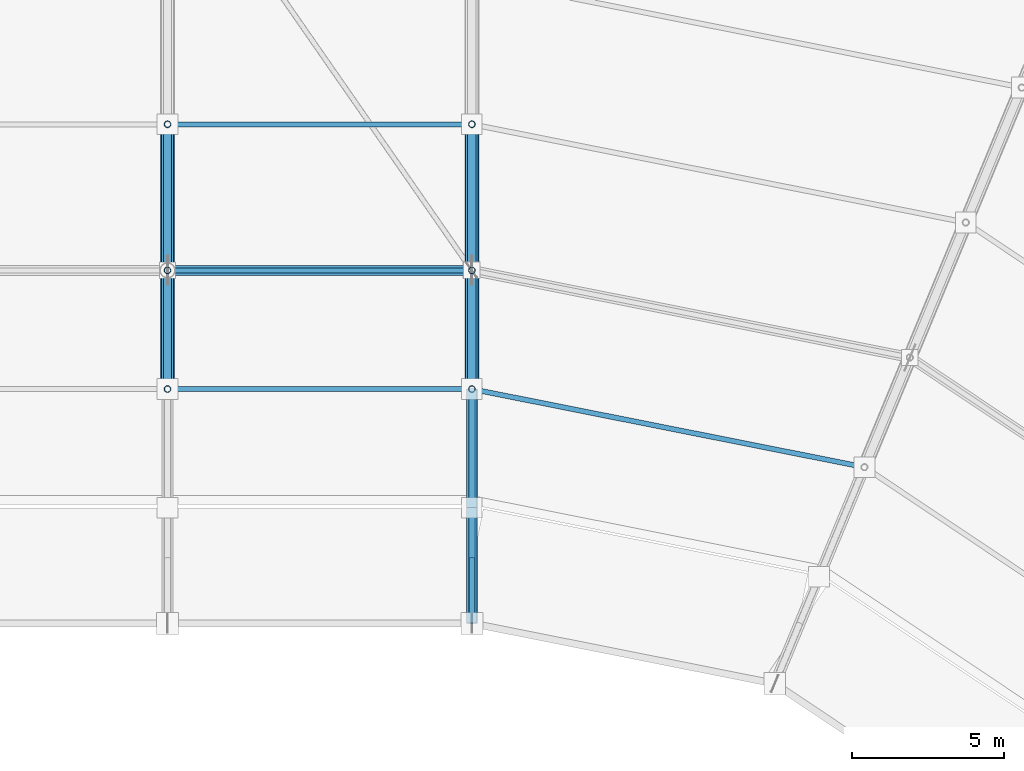
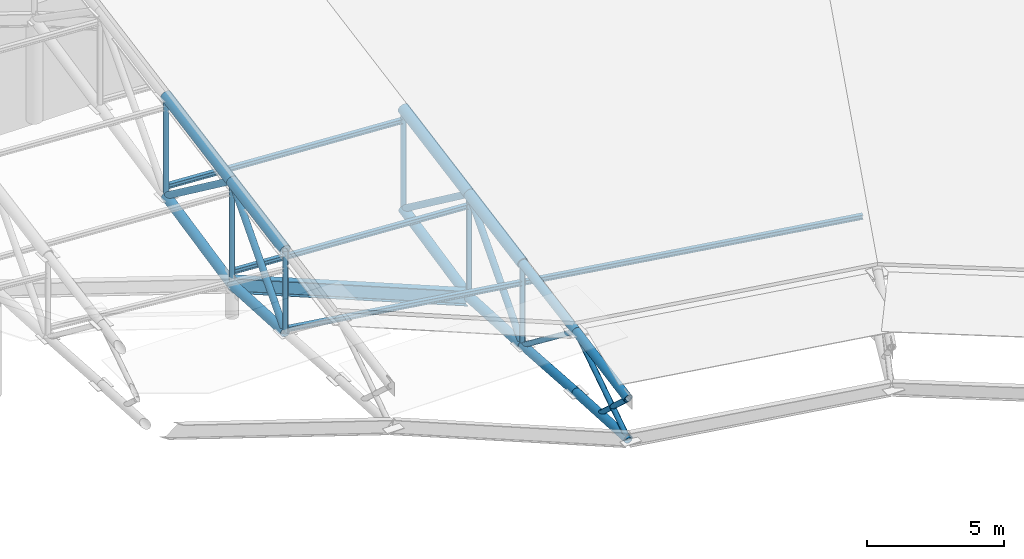
# One storey, part 78 of 146: 29 members, 1 beam.
"""IFC4 building model written with IfcOpenShell, lengths in metres."""

from ifc_helpers import new_model, si_unit, direction, frame, origin, origin_2d, place, context, subcontext, project, spatial, hollow_circle, i_section, extrude, material, material_profile, profile_set, type_object, element, save


model = new_model("IFC4")

# Units and contexts
model_context = context("Model", 3, precision=1e-05, world=origin(), true_north=direction((0.0, 1.0)))
body_context = subcontext(model_context, "Body", "Model", "MODEL_VIEW")
ifc_project = project(units=[si_unit("LENGTHUNIT", "METRE"), si_unit("AREAUNIT", "SQUARE_METRE"), si_unit("VOLUMEUNIT", "CUBIC_METRE"), si_unit("PLANEANGLEUNIT", "RADIAN"), si_unit("MASSUNIT", "GRAM", prefix="KILO")], contexts=[model_context])

# Site, building, storey
site_placement = place(None, origin())
site = spatial("IfcSite", under=ifc_project, at=site_placement, CompositionType="ELEMENT")
building_placement = place(site_placement, origin())
building = spatial("IfcBuilding", under=site, at=building_placement, Name="Candeia Ridge Stadium", CompositionType="ELEMENT")
storey_placement = place(building_placement, frame((0.0, 0.0, 31.800048828125)))
storey = spatial("IfcBuildingStorey", under=building, at=storey_placement, Name="RF", CompositionType="ELEMENT", Elevation=31.800048828125)

# Beam
ifc_material = material(Name="Steel ASTM A572 Grade 50", Category="steel")
ifc_material_profile_1 = material_profile(ifc_material, i_section(OverallWidth=0.324951171875, OverallDepth=0.615966796875, WebThickness=0.013916015625, FlangeThickness=0.021484375, FilletRadius=0.014892578125, at=origin_2d()), Name="W610x174", Category="steel")
ifc_profile_set_1 = profile_set([ifc_material_profile_1], Name="Steel ASTM A572 Grade 50")
beam_type = type_object("IfcBeamType", Name="Roof Compression Ring Beam W610x174", PredefinedType="BEAM", material=ifc_profile_set_1)
beam_placement = place(storey_placement, frame((140.962890625, 132.60009765625, -2.64892578125), z_axis=(-0.925945510704, 0.0, 0.377657134457), x_axis=(0.0, -1.0, 0.0)))
element("IfcBeam", 1, at=beam_placement, inside=storey, type_object=beam_type, Name="Roof compression ring beam bay 01", PredefinedType="BEAM", context=body_context, shape_type="SweptSolid", body=[
    extrude(i_section(OverallWidth=0.324951171875, OverallDepth=0.615966796875, WebThickness=0.013916015625, FlangeThickness=0.021484375, FilletRadius=0.014892578125, at=origin_2d()), origin(), (0.0, 0.0, 1.0), 10.7197265625),
])

# Members
ifc_material_profile_2 = material_profile(ifc_material, i_section(OverallWidth=0.1650390625, OverallDepth=0.200927734375, WebThickness=0.006103515625, FlangeThickness=0.01025390625, FilletRadius=0.010009765625, at=origin_2d()), Name="W200x35.9", Category="steel")
ifc_profile_set_2 = profile_set([ifc_material_profile_2], Name="Steel ASTM A572 Grade 50")
member_type_1 = type_object("IfcMemberType", Name="Roof Purlin W200x35.9", PredefinedType="PURLIN", material=ifc_profile_set_2)
member_1_placement = place(storey_placement, frame((140.950439453125, 128.699951171875, 0.361572265625), z_axis=(-0.990070222355, 0.0, 0.140573663272), x_axis=(0.0, -1.0, 0.0)))
element("IfcMember", 2, at=member_1_placement, inside=storey, type_object=member_type_1, Name="Saddle roof steel purlin bay 01-1", PredefinedType="PURLIN", context=body_context, shape_type="SweptSolid", body=[
    extrude(i_section(OverallWidth=0.1650390625, OverallDepth=0.200927734375, WebThickness=0.006103515625, FlangeThickness=0.01025390625, FilletRadius=0.010009765625, at=origin_2d()), origin(), (0.0, 0.0, 1.0), 10.000244140625),
])
for number, where, z_axis, x_axis, name in (
    (3, (140.9501953125, 132.60009765625, 1.418701171875), (-0.998435557369, 0.0, 0.055914557871), (0.0, -1.0, 0.0), "Saddle roof steel purlin bay 01-2"),
    (4, (140.9501953125, 137.39990234375, 2.306640625), (-0.998435557369, 0.0, 0.055914557871), (0.0, -1.0, 0.0), "Saddle roof steel purlin bay 01-3"),
):
    element("IfcMember", number, at=place(storey_placement, frame(where, z_axis=z_axis, x_axis=x_axis)), inside=storey, type_object=member_type_1, Name=name, PredefinedType="PURLIN", context=body_context, shape_type="SweptSolid", body=[
        extrude(i_section(OverallWidth=0.1650390625, OverallDepth=0.200927734375, WebThickness=0.006103515625, FlangeThickness=0.01025390625, FilletRadius=0.010009765625, at=origin_2d()), origin(), (0.0, 0.0, 1.0), 9.916015625),
    ])
member_2_placement = place(storey_placement, frame((153.847412109375, 126.14453125, 0.3544921875), z_axis=(-0.980786655499, 0.195083408815, 0.0), x_axis=(-0.195083408815, -0.980786655499, 0.0)))
element("IfcMember", 5, at=member_2_placement, inside=storey, type_object=member_type_1, Name="Saddle roof steel purlin bay 36-1", PredefinedType="PURLIN", context=body_context, shape_type="SweptSolid", body=[
    extrude(i_section(OverallWidth=0.1650390625, OverallDepth=0.200927734375, WebThickness=0.006103515625, FlangeThickness=0.01025390625, FilletRadius=0.010009765625, at=origin_2d()), origin(), (0.0, 0.0, 1.0), 13.049072265625),
])
ifc_material_profile_3 = material_profile(ifc_material, hollow_circle(Radius=0.136474609375, WallThickness=0.010009765625, at=origin_2d()), Name="CHS273x10", Category="steel")
ifc_profile_set_3 = profile_set([ifc_material_profile_3], Name="Steel ASTM A572 Grade 50")
member_type_2 = type_object("IfcMemberType", Name="Roof Truss Heavy Web Brace CHS273x10", PredefinedType="BRACE", material=ifc_profile_set_3)
member_3_placement = place(storey_placement, frame((141.0, 128.699951171875, -2.444091796875), z_axis=(0.0, 0.665001791652, 0.746841761754), x_axis=(-1.0, 0.0, 0.0)))
element("IfcMember", 6, at=member_3_placement, inside=storey, type_object=member_type_2, Name="Roof cantilever truss RT-01 diagonal web 3", PredefinedType="BRACE", context=body_context, shape_type="SweptSolid", body=[
    extrude(hollow_circle(Radius=0.136474609375, WallThickness=0.010009765625, at=origin_2d()), origin(), (0.0, 0.0, 1.0), 5.86474609375),
])
member_4_placement = place(storey_placement, frame((141.0, 132.60009765625, 1.93603515625), z_axis=(0.0, 0.801680135344, -0.597753260631), x_axis=(-1.0, 0.0, 0.0)))
element("IfcMember", 7, at=member_4_placement, inside=storey, type_object=member_type_2, Name="Roof cantilever truss RT-01 diagonal web 4", PredefinedType="BRACE", context=body_context, shape_type="SweptSolid", body=[
    extrude(hollow_circle(Radius=0.136474609375, WallThickness=0.010009765625, at=origin_2d()), origin(), (0.0, 0.0, 1.0), 5.987060546875),
])
member_5_placement = place(storey_placement, frame((131.0, 128.699951171875, 1.63427734375), z_axis=(0.0, 0.665001791652, 0.746841761754), x_axis=(-1.0, 0.0, 0.0)))
element("IfcMember", 8, at=member_5_placement, inside=storey, type_object=member_type_2, Name="Roof cantilever truss RT-02 diagonal web 3", PredefinedType="BRACE", context=body_context, shape_type="SweptSolid", body=[
    extrude(hollow_circle(Radius=0.136474609375, WallThickness=0.010009765625, at=origin_2d()), origin(), (0.0, 0.0, 1.0), 5.86474609375),
])
member_6_placement = place(storey_placement, frame((131.0, 132.60009765625, 6.014404296875), z_axis=(0.0, 0.801699676117, -0.597727052519), x_axis=(-1.0, 0.0, 0.0)))
element("IfcMember", 9, at=member_6_placement, inside=storey, type_object=member_type_2, Name="Roof cantilever truss RT-02 diagonal web 4", PredefinedType="BRACE", context=body_context, shape_type="SweptSolid", body=[
    extrude(hollow_circle(Radius=0.136474609375, WallThickness=0.010009765625, at=origin_2d()), origin(), (0.0, 0.0, 1.0), 5.987060546875),
])
ifc_material_profile_4 = material_profile(ifc_material, hollow_circle(Radius=0.109619140625, WallThickness=0.010009765625, at=origin_2d()), Name="CHS219x10", Category="steel")
ifc_profile_set_4 = profile_set([ifc_material_profile_4], Name="Steel ASTM A572 Grade 50")
member_type_3 = type_object("IfcMemberType", Name="Roof Truss Inner Web Brace CHS219x10", PredefinedType="BRACE", material=ifc_profile_set_4)
member_7_placement = place(storey_placement, frame((141.0, 121.0, -1.9599609375), z_axis=(0.0, 0.835124576935, 0.550060852087), x_axis=(-1.0, 0.0, 0.0)))
element("IfcMember", 10, at=member_7_placement, inside=storey, type_object=member_type_3, Name="Roof cantilever truss RT-01 diagonal web 1", PredefinedType="BRACE", context=body_context, shape_type="SweptSolid", body=[
    extrude(hollow_circle(Radius=0.109619140625, WallThickness=0.010009765625, at=origin_2d()), origin(), (0.0, 0.0, 1.0), 4.55029296875),
])
member_8_placement = place(storey_placement, frame((141.0, 124.800048828125, 0.54296875), z_axis=(0.0, 0.793887844601, -0.608064215519), x_axis=(-1.0, 0.0, 0.0)))
element("IfcMember", 11, at=member_8_placement, inside=storey, type_object=member_type_3, Name="Roof cantilever truss RT-01 diagonal web 2", PredefinedType="BRACE", context=body_context, shape_type="SweptSolid", body=[
    extrude(hollow_circle(Radius=0.109619140625, WallThickness=0.010009765625, at=origin_2d()), origin(), (0.0, 0.0, 1.0), 4.912353515625),
])
member_9_placement = place(storey_placement, frame((141.0, 123.090087890625, -2.077880859375), z_axis=(0.0, -0.736836090738, 0.676071427725), x_axis=(1.0, 0.0, 0.0)))
element("IfcMember", 12, at=member_9_placement, inside=storey, type_object=member_type_3, Name="Roof cantilever truss RT-01 vertical post 0", PredefinedType="BRACE", context=body_context, shape_type="SweptSolid", body=[
    extrude(hollow_circle(Radius=0.109619140625, WallThickness=0.010009765625, at=origin_2d()), origin(), (0.0, 0.0, 1.0), 2.836669921875),
])
member_10_placement = place(storey_placement, frame((141.0, 128.699951171875, -2.444091796875), z_axis=(0.0, 0.0, 1.0), x_axis=(1.0, 0.0, 0.0)))
element("IfcMember", 13, at=member_10_placement, inside=storey, type_object=member_type_3, Name="Roof cantilever truss RT-01 vertical post 2", PredefinedType="BRACE", context=body_context, shape_type="SweptSolid", body=[
    extrude(hollow_circle(Radius=0.109619140625, WallThickness=0.010009765625, at=origin_2d()), origin(), (0.0, 0.0, 1.0), 3.658447265625),
])
member_11_placement = place(storey_placement, frame((141.0, 132.60009765625, -2.6640625), z_axis=(0.0, 0.0, 1.0), x_axis=(1.0, 0.0, 0.0)))
element("IfcMember", 14, at=member_11_placement, inside=storey, type_object=member_type_3, Name="Roof cantilever truss RT-01 vertical post 3", PredefinedType="BRACE", context=body_context, shape_type="SweptSolid", body=[
    extrude(hollow_circle(Radius=0.109619140625, WallThickness=0.010009765625, at=origin_2d()), origin(), (0.0, 0.0, 1.0), 4.60009765625),
])
member_12_placement = place(storey_placement, frame((141.0, 137.39990234375, -1.642822265625), z_axis=(0.0, 0.0, 1.0), x_axis=(1.0, 0.0, 0.0)))
element("IfcMember", 15, at=member_12_placement, inside=storey, type_object=member_type_3, Name="Roof cantilever truss RT-01 vertical post 4", PredefinedType="BRACE", context=body_context, shape_type="SweptSolid", body=[
    extrude(hollow_circle(Radius=0.109619140625, WallThickness=0.010009765625, at=origin_2d()), origin(), (0.0, 0.0, 1.0), 4.466796875),
])
member_13_placement = place(storey_placement, frame((131.0, 128.699951171875, 1.63427734375), z_axis=(0.0, 0.0, 1.0), x_axis=(1.0, 0.0, 0.0)))
element("IfcMember", 16, at=member_13_placement, inside=storey, type_object=member_type_3, Name="Roof cantilever truss RT-02 vertical post 2", PredefinedType="BRACE", context=body_context, shape_type="SweptSolid", body=[
    extrude(hollow_circle(Radius=0.109619140625, WallThickness=0.010009765625, at=origin_2d()), origin(), (0.0, 0.0, 1.0), 3.65869140625),
])
member_14_placement = place(storey_placement, frame((131.0, 132.60009765625, 1.41455078125), z_axis=(0.0, 0.0, 1.0), x_axis=(1.0, 0.0, 0.0)))
element("IfcMember", 17, at=member_14_placement, inside=storey, type_object=member_type_3, Name="Roof cantilever truss RT-02 vertical post 3", PredefinedType="BRACE", context=body_context, shape_type="SweptSolid", body=[
    extrude(hollow_circle(Radius=0.109619140625, WallThickness=0.010009765625, at=origin_2d()), origin(), (0.0, 0.0, 1.0), 4.599853515625),
])
member_15_placement = place(storey_placement, frame((131.0, 137.39990234375, 2.435791015625), z_axis=(0.0, 0.0, 1.0), x_axis=(1.0, 0.0, 0.0)))
element("IfcMember", 18, at=member_15_placement, inside=storey, type_object=member_type_3, Name="Roof cantilever truss RT-02 vertical post 4", PredefinedType="BRACE", context=body_context, shape_type="SweptSolid", body=[
    extrude(hollow_circle(Radius=0.109619140625, WallThickness=0.010009765625, at=origin_2d()), origin(), (0.0, 0.0, 1.0), 4.466552734375),
])
ifc_material_profile_5 = material_profile(ifc_material, hollow_circle(Radius=0.228515625, WallThickness=0.02001953125, at=origin_2d()), Name="CHS457x20", Category="steel")
ifc_profile_set_5 = profile_set([ifc_material_profile_5], Name="Steel ASTM A572 Grade 50")
member_type_4 = type_object("IfcMemberType", Name="Roof Truss Main Chord CHS457x20", PredefinedType="CHORD", material=ifc_profile_set_5)
member_16_placement = place(storey_placement, frame((141.0, 128.699951171875, 1.21435546875), z_axis=(0.0, 0.983307710254, 0.181950396965), x_axis=(-1.0, 0.0, 0.0)))
element("IfcMember", 19, at=member_16_placement, inside=storey, type_object=member_type_4, Name="Roof cantilever truss RT-01 top chord 3", PredefinedType="CHORD", context=body_context, shape_type="SweptSolid", body=[
    extrude(hollow_circle(Radius=0.228515625, WallThickness=0.02001953125, at=origin_2d()), origin(), (0.0, 0.0, 1.0), 3.96630859375),
])
member_17_placement = place(storey_placement, frame((141.0, 132.60009765625, 1.93603515625), z_axis=(0.0, 0.983315487156, 0.181908363519), x_axis=(-1.0, 0.0, 0.0)))
element("IfcMember", 20, at=member_17_placement, inside=storey, type_object=member_type_4, Name="Roof cantilever truss RT-01 top chord 4", PredefinedType="CHORD", context=body_context, shape_type="SweptSolid", body=[
    extrude(hollow_circle(Radius=0.228515625, WallThickness=0.02001953125, at=origin_2d()), origin(), (0.0, 0.0, 1.0), 4.88134765625),
])
member_18_placement = place(storey_placement, frame((131.0, 128.699951171875, 5.29296875), z_axis=(0.0, 0.983318721205, 0.181890880824), x_axis=(-1.0, 0.0, 0.0)))
element("IfcMember", 21, at=member_18_placement, inside=storey, type_object=member_type_4, Name="Roof cantilever truss RT-02 top chord 3", PredefinedType="CHORD", context=body_context, shape_type="SweptSolid", body=[
    extrude(hollow_circle(Radius=0.228515625, WallThickness=0.02001953125, at=origin_2d()), origin(), (0.0, 0.0, 1.0), 3.96630859375),
])
member_19_placement = place(storey_placement, frame((131.0, 132.60009765625, 6.014404296875), z_axis=(0.0, 0.983315487156, 0.181908363519), x_axis=(-1.0, 0.0, 0.0)))
element("IfcMember", 22, at=member_19_placement, inside=storey, type_object=member_type_4, Name="Roof cantilever truss RT-02 top chord 4", PredefinedType="CHORD", context=body_context, shape_type="SweptSolid", body=[
    extrude(hollow_circle(Radius=0.228515625, WallThickness=0.02001953125, at=origin_2d()), origin(), (0.0, 0.0, 1.0), 4.88134765625),
])
ifc_material_profile_6 = material_profile(ifc_material, hollow_circle(Radius=0.202880859375, WallThickness=0.01611328125, at=origin_2d()), Name="CHS406x16", Category="steel")
ifc_profile_set_6 = profile_set([ifc_material_profile_6], Name="Steel ASTM A572 Grade 50")
member_type_5 = type_object("IfcMemberType", Name="Roof Truss Outer Chord CHS406x16", PredefinedType="CHORD", material=ifc_profile_set_6)
member_20_placement = place(storey_placement, frame((141.0, 128.699951171875, -2.444091796875), z_axis=(0.0, 0.998413269272, -0.056311133372), x_axis=(-1.0, 0.0, 0.0)))
element("IfcMember", 23, at=member_20_placement, inside=storey, type_object=member_type_5, Name="Roof cantilever truss RT-01 bottom chord 3", PredefinedType="CHORD", context=body_context, shape_type="SweptSolid", body=[
    extrude(hollow_circle(Radius=0.202880859375, WallThickness=0.01611328125, at=origin_2d()), origin(), (0.0, 0.0, 1.0), 3.90625),
])
member_21_placement = place(storey_placement, frame((141.0, 132.60009765625, -2.6640625), z_axis=(0.0, 0.978105713519, 0.208108657154), x_axis=(-1.0, 0.0, 0.0)))
element("IfcMember", 24, at=member_21_placement, inside=storey, type_object=member_type_5, Name="Roof cantilever truss RT-01 bottom chord 4", PredefinedType="CHORD", context=body_context, shape_type="SweptSolid", body=[
    extrude(hollow_circle(Radius=0.202880859375, WallThickness=0.01611328125, at=origin_2d()), origin(), (0.0, 0.0, 1.0), 4.9072265625),
])
member_22_placement = place(storey_placement, frame((131.0, 128.699951171875, 1.63427734375), z_axis=(0.0, 0.998416781117, -0.056248832739), x_axis=(-1.0, 0.0, 0.0)))
element("IfcMember", 25, at=member_22_placement, inside=storey, type_object=member_type_5, Name="Roof cantilever truss RT-02 bottom chord 3", PredefinedType="CHORD", context=body_context, shape_type="SweptSolid", body=[
    extrude(hollow_circle(Radius=0.202880859375, WallThickness=0.01611328125, at=origin_2d()), origin(), (0.0, 0.0, 1.0), 3.90625),
])
member_23_placement = place(storey_placement, frame((131.0, 132.60009765625, 1.41455078125), z_axis=(0.0, 0.978105713519, 0.208108657154), x_axis=(-1.0, 0.0, 0.0)))
element("IfcMember", 26, at=member_23_placement, inside=storey, type_object=member_type_5, Name="Roof cantilever truss RT-02 bottom chord 4", PredefinedType="CHORD", context=body_context, shape_type="SweptSolid", body=[
    extrude(hollow_circle(Radius=0.202880859375, WallThickness=0.01611328125, at=origin_2d()), origin(), (0.0, 0.0, 1.0), 4.9072265625),
])
ifc_material_profile_7 = material_profile(ifc_material, hollow_circle(Radius=0.177734375, WallThickness=0.01416015625, at=origin_2d()), Name="CHS355x14", Category="steel")
ifc_profile_set_7 = profile_set([ifc_material_profile_7], Name="Steel ASTM A572 Grade 50")
member_type_6 = type_object("IfcMemberType", Name="Roof Truss Tip Chord CHS355x14", PredefinedType="CHORD", material=ifc_profile_set_7)
member_24_placement = place(storey_placement, frame((141.0, 121.0, -0.16015625), z_axis=(0.0, 0.983309224326, 0.181942214331), x_axis=(-1.0, 0.0, 0.0)))
element("IfcMember", 27, at=member_24_placement, inside=storey, type_object=member_type_6, Name="Roof cantilever truss RT-01 top chord 1", PredefinedType="CHORD", context=body_context, shape_type="SweptSolid", body=[
    extrude(hollow_circle(Radius=0.177734375, WallThickness=0.01416015625, at=origin_2d()), origin(), (0.0, 0.0, 1.0), 3.864501953125),
])
member_25_placement = place(storey_placement, frame((141.0, 121.0, -1.9599609375), z_axis=(0.0, 0.99841282113, -0.056319078506), x_axis=(-1.0, 0.0, 0.0)))
element("IfcMember", 28, at=member_25_placement, inside=storey, type_object=member_type_6, Name="Roof cantilever truss RT-01 bottom chord 1", PredefinedType="CHORD", context=body_context, shape_type="SweptSolid", body=[
    extrude(hollow_circle(Radius=0.177734375, WallThickness=0.01416015625, at=origin_2d()), origin(), (0.0, 0.0, 1.0), 3.80615234375),
])
member_26_placement = place(storey_placement, frame((141.0, 124.800048828125, 0.54296875), z_axis=(0.0, 0.985502828795, 0.169658994565), x_axis=(-1.0, 0.0, 0.0)))
element("IfcMember", 29, at=member_26_placement, inside=storey, type_object=member_type_6, Name="Roof cantilever truss RT-01 top chord 2", PredefinedType="CHORD", context=body_context, shape_type="SweptSolid", body=[
    extrude(hollow_circle(Radius=0.177734375, WallThickness=0.01416015625, at=origin_2d()), origin(), (0.0, 0.0, 1.0), 3.957275390625),
])
member_27_placement = place(storey_placement, frame((141.0, 124.800048828125, -2.17431640625), z_axis=(0.0, 0.997615968556, -0.069009994069), x_axis=(-1.0, 0.0, 0.0)))
element("IfcMember", 30, at=member_27_placement, inside=storey, type_object=member_type_6, Name="Roof cantilever truss RT-01 bottom chord 2", PredefinedType="CHORD", context=body_context, shape_type="SweptSolid", body=[
    extrude(hollow_circle(Radius=0.177734375, WallThickness=0.01416015625, at=origin_2d()), origin(), (0.0, 0.0, 1.0), 3.9091796875),
])

save(model, "model.ifc")
